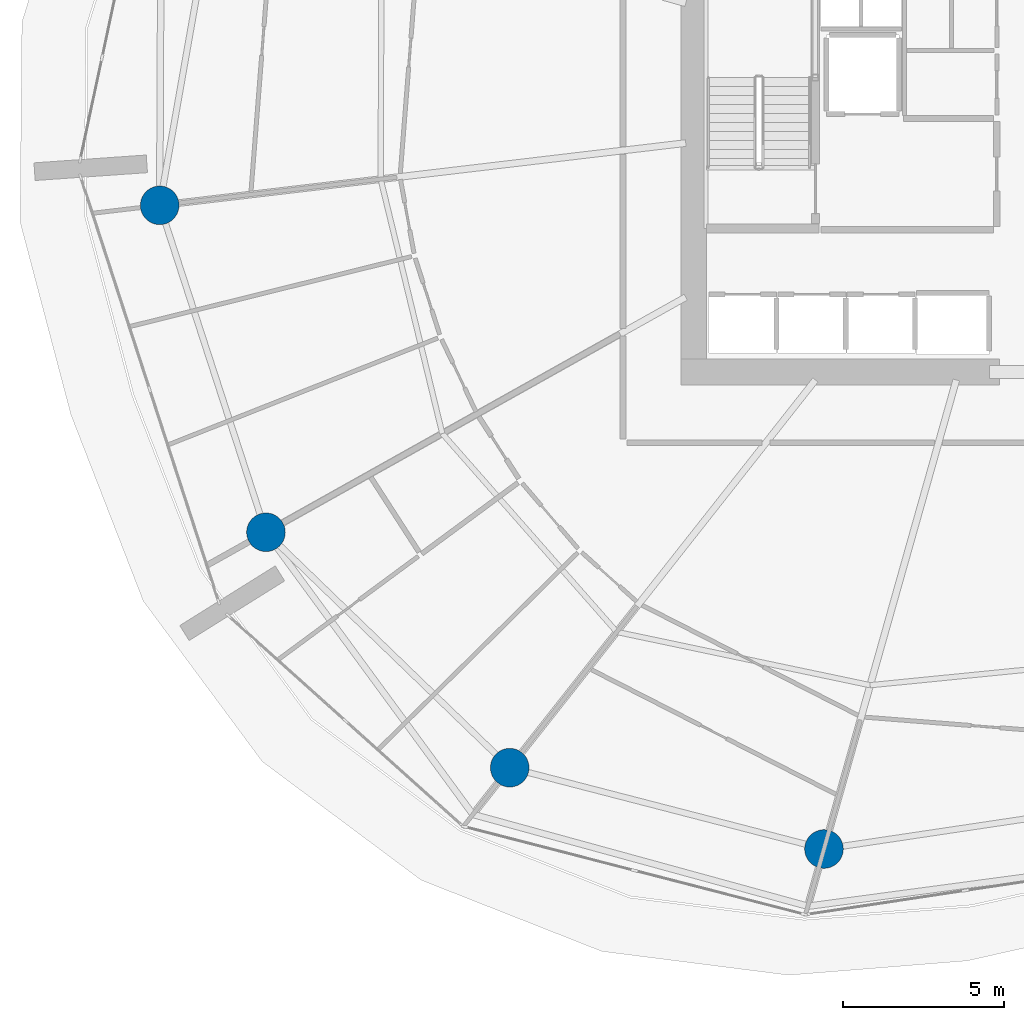
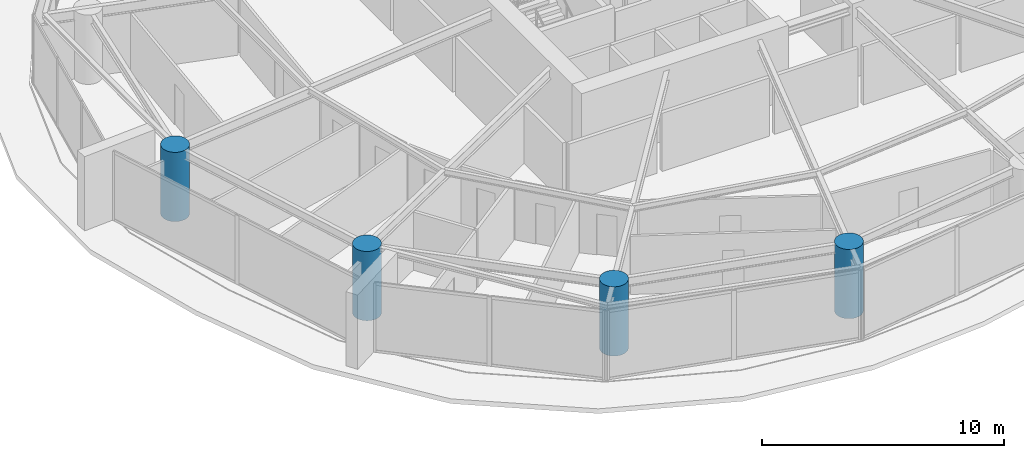
# One storey, part 1 of 17: 4 columns.
"""IFC4 building model written with IfcOpenShell, lengths in metres."""

import ifcopenshell
import ifcopenshell.guid

model = None  # the IFC model being written
_history = None  # IfcOwnerHistory: only IFC2X3 demands one
_inside = {}  # id of a spatial element -> (the spatial element, [elements in it])
_under = {}  # id of a project, library or spatial element -> (it, [spatial elements below it])
_declared = {}  # id of a project -> (the project, [libraries it declares])
_typed = {}  # id of a type object -> (the type object, [elements of that type])
_made_of = {}  # id of a material, layer set ... -> (it, [elements and type objects made of it])


def new_model(schema):
    """Start an empty IFC model of exactly this schema.

    Asked for "IFC4X3", IfcOpenShell would pick the latest addendum, in which some entities
    have other attributes; the version numbers below select the first issue.
    IFC2X3 requires an IfcOwnerHistory on every rooted entity: one is made here for all.
    """
    global model, _history
    if schema == "IFC4X3":
        model = ifcopenshell.file(schema_version=(4, 3, 0, 0))
    else:
        model = ifcopenshell.file(schema=schema)
    _inside.clear()
    _under.clear()
    _declared.clear()
    _typed.clear()
    _made_of.clear()
    _history = None
    if model.schema == "IFC2X3":
        org = make("IfcOrganization", Name="unknown")
        user = make(
            "IfcPersonAndOrganization",
            ThePerson=make("IfcPerson", FamilyName="unknown"),
            TheOrganization=org,
        )
        app = make(
            "IfcApplication",
            ApplicationDeveloper=org,
            Version="unknown",
            ApplicationFullName="unknown",
            ApplicationIdentifier="unknown",
        )
        _history = make(
            "IfcOwnerHistory",
            OwningUser=user,
            OwningApplication=app,
            ChangeAction="ADDED",
            CreationDate=0,
        )
    return model


def make(cls, **values):
    """One entity of the class cls with the attributes given. An attribute that is None is left unset."""
    return model.create_entity(
        cls, **{name: value for name, value in values.items() if value is not None}
    )


def rooted(cls, **values):
    """An entity with a GlobalId (a new one), such as an element, a storey or a relation."""
    return make(cls, GlobalId=ifcopenshell.guid.new(), OwnerHistory=_history, **values)


def si_unit(unit_type, name, prefix=None):
    """IfcSIUnit, for example si_unit("LENGTHUNIT", "METRE", prefix="MILLI")."""
    return make("IfcSIUnit", UnitType=unit_type, Prefix=prefix, Name=name)


def assignment(units):
    """IfcUnitAssignment: the units of a project."""
    return None if units is None else make("IfcUnitAssignment", Units=units)


def point(xyz):
    """IfcCartesianPoint."""
    return None if xyz is None else make("IfcCartesianPoint", Coordinates=xyz)


def direction(xyz):
    """IfcDirection."""
    return None if xyz is None else make("IfcDirection", DirectionRatios=xyz)


def frame(location, z_axis=None, x_axis=None):
    """IfcAxis2Placement3D, a coordinate frame: its origin and axes. An axis left out is left unset."""
    return make(
        "IfcAxis2Placement3D",
        Location=point(location),
        Axis=direction(z_axis),
        RefDirection=direction(x_axis),
    )


def frame_2d(location, x_axis=None):
    """IfcAxis2Placement2D, a coordinate frame in the plane: its origin and x axis."""
    return make(
        "IfcAxis2Placement2D", Location=point(location), RefDirection=direction(x_axis)
    )


def origin():
    """The frame at (0, 0, 0) with its axes left unset."""
    return frame((0.0, 0.0, 0.0))


def origin_2d():
    """The frame at (0, 0) in the plane with its x axis left unset."""
    return frame_2d((0.0, 0.0))


def place(relative_to, where):
    """IfcLocalPlacement: puts the frame where relative to a parent placement (None: the world)."""
    return make(
        "IfcLocalPlacement", PlacementRelTo=relative_to, RelativePlacement=where
    )


def context(
    kind, dimensions, precision=None, world=None, true_north=None, identifier=None
):
    """IfcGeometricRepresentationContext, for example the 3D "Model" context."""
    return make(
        "IfcGeometricRepresentationContext",
        ContextIdentifier=identifier,
        ContextType=kind,
        CoordinateSpaceDimension=dimensions,
        Precision=precision,
        WorldCoordinateSystem=world,
        TrueNorth=true_north,
    )


def subcontext(parent, identifier, kind, view, scale=None):
    """IfcGeometricRepresentationSubContext, for example "Body" below "Model"."""
    return make(
        "IfcGeometricRepresentationSubContext",
        ContextIdentifier=identifier,
        ContextType=kind,
        ParentContext=parent,
        TargetScale=scale,
        TargetView=view,
    )


def project(units=None, contexts=None):
    """IfcProject with its units and contexts."""
    return rooted(
        "IfcProject",
        Name="project",
        RepresentationContexts=contexts,
        UnitsInContext=assignment(units),
    )


def spatial(cls, under=None, at=None, **own):
    """A site, building, storey or space (cls), placed at a placement, below another one or the project."""
    s = rooted(cls, ObjectPlacement=at, **own)
    if under is not None:
        _under.setdefault(under.id(), (under, []))[1].append(s)
    return s


def profile(cls, at=None, kind="AREA", **sizes):
    """A parametric profile (cls). Its sizes go by their IFC names, for example OverallWidth=200.0."""
    return make(cls, ProfileType=kind, Position=at, **sizes)


def circle(**sizes):
    """IfcCircleProfileDef."""
    return profile("IfcCircleProfileDef", **sizes)


def extrude(swept, where, along, depth):
    """IfcExtrudedAreaSolid: the profile swept, set in the frame where, extruded along a direction by depth."""
    return make(
        "IfcExtrudedAreaSolid",
        SweptArea=swept,
        Position=where,
        ExtrudedDirection=direction(along),
        Depth=depth,
    )


def shape(context_of_items, identifier, shape_type, items):
    """IfcShapeRepresentation: the items that make up one representation, for example the "Body"."""
    return make(
        "IfcShapeRepresentation",
        ContextOfItems=context_of_items,
        RepresentationIdentifier=identifier,
        RepresentationType=shape_type,
        Items=items,
    )


def material(Name=None, Category=None):
    """IfcMaterial."""
    return make("IfcMaterial", Name=Name, Category=Category)


def material_profile(
    of_material, cross_section, Name=None, Category=None, Priority=None
):
    """IfcMaterialProfile: a cross section and its material."""
    return make(
        "IfcMaterialProfile",
        Name=Name,
        Material=of_material,
        Profile=cross_section,
        Priority=Priority,
        Category=Category,
    )


def profile_set(profiles, Name=None, composite=None):
    """IfcMaterialProfileSet."""
    return make(
        "IfcMaterialProfileSet",
        Name=Name,
        MaterialProfiles=profiles,
        CompositeProfile=composite,
    )


def made_of(thing, what):
    """Note that an element or type object is made of a material, layer set ...; save() writes the relation."""
    if what is not None:
        _made_of.setdefault(what.id(), (what, []))[1].append(thing)
    return thing


def type_object(cls, material=None, **own):
    """A type object (cls), such as IfcWallType, which elements share."""
    return made_of(rooted(cls, **own), material)


def element(
    cls,
    number,
    at=None,
    inside=None,
    cuts=None,
    type_object=None,
    material=None,
    context=None,
    identifier="Body",
    shape_type=None,
    held_by="IfcProductDefinitionShape",
    body=None,
    shapes=None,
    **own,
):
    """One element of the class cls, such as IfcWall. Its Tag is "e" and its number.

    at: its placement. inside: the storey or other place that contains it. cuts: it is an
    opening in that element (IfcRelVoidsElement). A single representation is given by context,
    identifier, shape_type and body (its items); several are given by shapes. held_by: the class
    of the entity that holds the representations. save() writes the other relations.
    """
    e = rooted(cls, Tag="e%d" % number, ObjectPlacement=at, **own)
    if body is not None:
        shapes = [shape(context, identifier, shape_type, body)]
    if shapes is not None:
        e.Representation = make(held_by, Representations=shapes)
    if inside is not None:
        _inside.setdefault(inside.id(), (inside, []))[1].append(e)
    if cuts is not None:
        rooted(
            "IfcRelVoidsElement", RelatingBuildingElement=cuts, RelatedOpeningElement=e
        )
    if type_object is not None:
        _typed.setdefault(type_object.id(), (type_object, []))[1].append(e)
    return made_of(e, material)


def aggregate(whole, parts):
    """IfcRelAggregates: a whole, such as a stair, and the parts it consists of."""
    return rooted("IfcRelAggregates", RelatingObject=whole, RelatedObjects=parts)


def save(model, path):
    """Write the relations noted so far, then the file.

    IfcRelAggregates (storeys below a building ...), IfcRelContainedInSpatialStructure (elements
    in a storey), IfcRelDefinesByType, IfcRelAssociatesMaterial and IfcRelDeclares: one each for
    every whole, place, type object, material and project.
    """
    for whole, parts in _under.values():
        aggregate(whole, parts)
    for where, things in _inside.values():
        rooted(
            "IfcRelContainedInSpatialStructure",
            RelatedElements=things,
            RelatingStructure=where,
        )
    for kind, things in _typed.values():
        rooted("IfcRelDefinesByType", RelatedObjects=things, RelatingType=kind)
    for what, things in _made_of.values():
        rooted("IfcRelAssociatesMaterial", RelatedObjects=things, RelatingMaterial=what)
    for by, libraries in _declared.values():
        rooted("IfcRelDeclares", RelatingContext=by, RelatedDefinitions=libraries)
    model.write(path)


model = new_model("IFC4")

# Units and contexts
model_context = context("Model", 3, precision=1e-05, world=origin(), true_north=direction((0.0, 1.0)))
body_context = subcontext(model_context, "Body", "Model", "MODEL_VIEW")
ifc_project = project(units=[si_unit("LENGTHUNIT", "METRE"), si_unit("AREAUNIT", "SQUARE_METRE"), si_unit("VOLUMEUNIT", "CUBIC_METRE"), si_unit("PLANEANGLEUNIT", "RADIAN"), si_unit("MASSUNIT", "GRAM", prefix="KILO")], contexts=[model_context])

# Site, building, storey
site_placement = place(None, origin())
site = spatial("IfcSite", under=ifc_project, at=site_placement, CompositionType="ELEMENT")
building_placement = place(site_placement, origin())
building = spatial("IfcBuilding", under=site, at=building_placement, Name="Kazma Halo Residences", CompositionType="ELEMENT")
storey_placement = place(building_placement, frame((0.0, 0.0, 75.14990234375)))
storey = spatial("IfcBuildingStorey", under=building, at=storey_placement, Name="L18", CompositionType="ELEMENT", Elevation=75.14990234375)

# Columns
ifc_material = material(Name="Concrete C80/95", Category="concrete")
ifc_material_profile = material_profile(ifc_material, circle(Radius=0.60009765625, at=origin_2d()), Name="CIRC1200")
ifc_profile_set = profile_set([ifc_material_profile], Name="Concrete C80/95")
column_type = type_object("IfcColumnType", Name="COL-PERIM-1200", PredefinedType="COLUMN", material=ifc_profile_set)
for number, where, z_axis, x_axis, name in (
    (1, (20.79345703125, 38.77978515625, 0.0), (0.0, 0.0, 1.0), (1.0, 0.0, 0.0), "L18 perimeter ring column P08"),
    (2, (24.0966796875, 28.613525390625, 0.0), (0.0, 0.0, 1.0), (1.0, 0.0, 0.0), "L18 perimeter ring column P09"),
    (3, (31.676513671875, 21.293701171875, 0.0), (0.0, 0.0, 1.0), (1.0, 0.0, 0.0), "L18 perimeter ring column P10"),
    (4, (41.447265625, 18.765869140625, 0.0), (0.0, 0.0, 1.0), (1.0, 0.0, 0.0), "L18 perimeter ring column P11"),
):
    element("IfcColumn", number, at=place(storey_placement, frame(where, z_axis=z_axis, x_axis=x_axis)), inside=storey, type_object=column_type, Name=name, PredefinedType="COLUMN", context=body_context, shape_type="SweptSolid", body=[
        extrude(circle(Radius=0.60009765625, at=origin_2d()), origin(), (0.0, 0.0, 1.0), 3.5),
    ])

save(model, "model.ifc")
